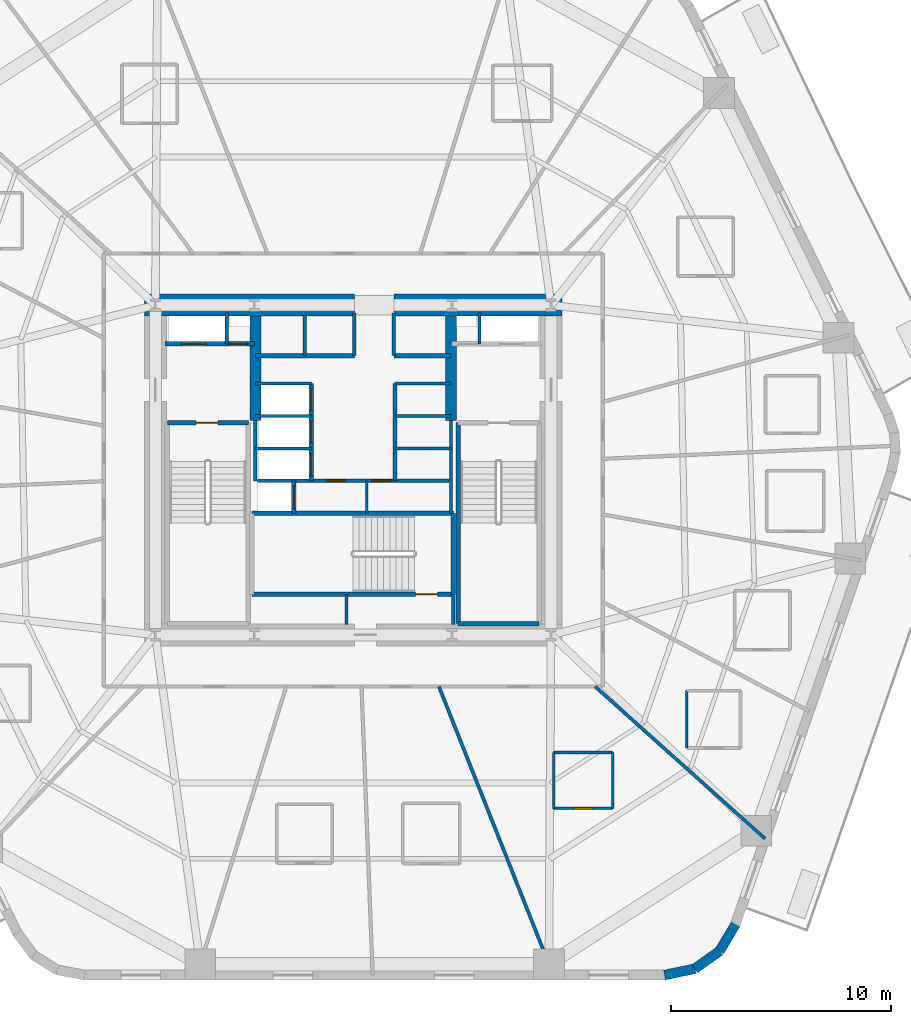
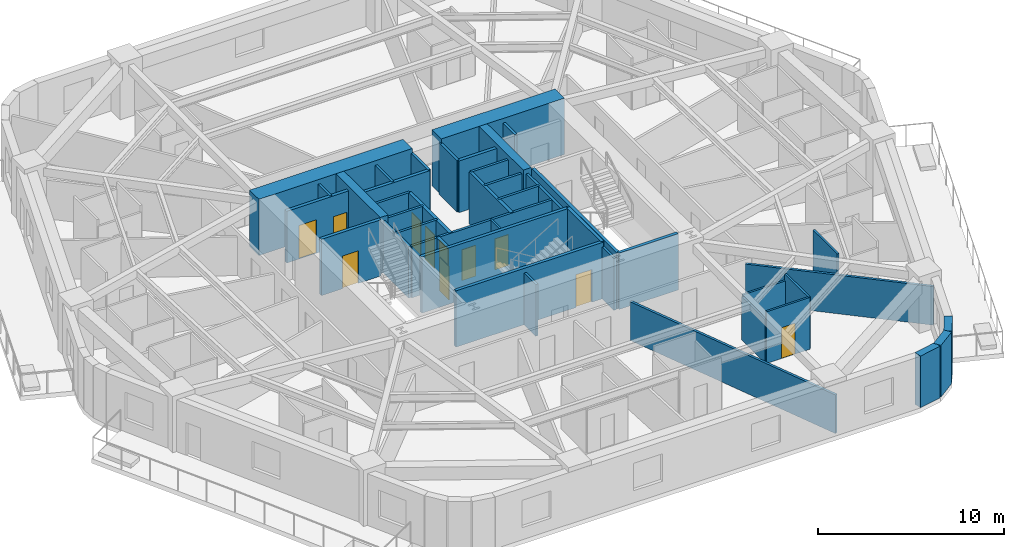
# One storey, part 4 of 10: 43 walls, 11 doors, 11 openings.
"""IFC4 building model written with IfcOpenShell, lengths in metres."""

from ifc_helpers import new_model, si_unit, direction, frame, frame_2d, origin, place, context, subcontext, project, spatial, rectangle, extrude, material, layer, layer_set, type_object, element, fill, save


model = new_model("IFC4")

# Units and contexts
model_context = context("Model", 3, precision=1e-05, world=origin(), true_north=direction((0.0, 1.0)))
body_context = subcontext(model_context, "Body", "Model", "MODEL_VIEW")
ifc_project = project(units=[si_unit("LENGTHUNIT", "METRE"), si_unit("AREAUNIT", "SQUARE_METRE"), si_unit("VOLUMEUNIT", "CUBIC_METRE"), si_unit("PLANEANGLEUNIT", "RADIAN"), si_unit("MASSUNIT", "GRAM", prefix="KILO")], contexts=[model_context])

# Site, building, storey
site_placement = place(None, origin())
site = spatial("IfcSite", under=ifc_project, at=site_placement, CompositionType="ELEMENT")
building_placement = place(site_placement, origin())
building = spatial("IfcBuilding", under=site, at=building_placement, Name="Kilnhurst Terrace Hotel", CompositionType="ELEMENT")
storey_placement = place(building_placement, frame((0.0, 0.0, 45.300048828125)))
storey = spatial("IfcBuildingStorey", under=building, at=storey_placement, Name="L09", CompositionType="ELEMENT", Elevation=45.300048828125)

# Walls
ifc_material_1 = material(Name="Precast concrete C40/50", Category="concrete")
ifc_layer_1 = layer(ifc_material_1, 0.449951171875, Name="Precast concrete C40/50")
ifc_layer_set_1 = layer_set([ifc_layer_1], Name="Precast concrete C40/50")
wall_type_1 = type_object("IfcWallType", Name="WL-BRK-450", PredefinedType="SOLIDWALL", material=ifc_layer_set_1)
wall_1_placement = place(storey_placement, frame((14.168212890625, -22.97509765625, 0.0), z_axis=(0.0, 0.0, 1.0), x_axis=(0.978770371074, 0.204959900243, 0.0)))
element("IfcWall", 1, at=wall_1_placement, inside=storey, type_object=wall_type_1, Name="L09 Rounded Corner Brick Wall C2.1", PredefinedType="SOLIDWALL", context=body_context, shape_type="SweptSolid", body=[
    extrude(rectangle(XDim=1.405517578125, YDim=0.449951171875, at=frame_2d((0.70263671875, 0.0))), origin(), (0.0, 0.0, 1.0), 3.39990234375),
])
wall_2_placement = place(storey_placement, frame((15.5439453125, -22.68701171875, 0.0), z_axis=(0.0, 0.0, 1.0), x_axis=(0.814210854316, 0.580569276412, 0.0)))
element("IfcWall", 2, at=wall_2_placement, inside=storey, type_object=wall_type_1, Name="L09 Rounded Corner Brick Wall C2.2", PredefinedType="SOLIDWALL", context=body_context, shape_type="SweptSolid", body=[
    extrude(rectangle(XDim=1.38134765625, YDim=0.449951171875, at=frame_2d((0.690673828125, 0.0))), origin(), (0.0, 0.0, 1.0), 3.39990234375),
])
wall_3_placement = place(storey_placement, frame((16.668701171875, -21.885009765625, 0.0), z_axis=(0.0, 0.0, 1.0), x_axis=(0.512936712947, 0.858426425799, 0.0)))
element("IfcWall", 3, at=wall_3_placement, inside=storey, type_object=wall_type_1, Name="L09 Rounded Corner Brick Wall C2.3", PredefinedType="SOLIDWALL", context=body_context, shape_type="SweptSolid", body=[
    extrude(rectangle(XDim=1.405517578125, YDim=0.449951171875, at=frame_2d((0.70263671875, 0.0))), origin(), (0.0, 0.0, 1.0), 3.39990234375),
])
ifc_material_2 = material(Name="Concrete C80/95", Category="concrete")
ifc_layer_2 = layer(ifc_material_2, 1.0, Name="Concrete C80/95")
ifc_layer_set_2 = layer_set([ifc_layer_2], Name="Concrete C80/95")
wall_type_2 = type_object("IfcWallType", Name="WL-CORE-1000", PredefinedType="SHEAR", material=ifc_layer_set_2)
wall_4_placement = place(storey_placement, frame((-9.5, 7.5, 0.0), z_axis=(0.0, 0.0, 1.0), x_axis=(1.0, 0.0, 0.0)))
element("IfcWall", 4, at=wall_4_placement, inside=storey, type_object=wall_type_2, Name="L09 Core North West Shear Wall", PredefinedType="SHEAR", context=body_context, shape_type="SweptSolid", body=[
    extrude(rectangle(XDim=9.550048828125, YDim=1.0, at=frame_2d((4.77490234375, 0.0))), origin(), (0.0, 0.0, 1.0), 3.699951171875),
])
wall_5_placement = place(storey_placement, frame((1.85009765625, 7.5, 0.0), z_axis=(0.0, 0.0, 1.0), x_axis=(1.0, 0.0, 0.0)))
element("IfcWall", 5, at=wall_5_placement, inside=storey, type_object=wall_type_2, Name="L09 Core North East Shear Wall", PredefinedType="SHEAR", context=body_context, shape_type="SweptSolid", body=[
    extrude(rectangle(XDim=7.64990234375, YDim=1.0, at=frame_2d((3.824951171875, 0.0))), origin(), (0.0, 0.0, 1.0), 3.699951171875),
])
ifc_material_3 = material(Name="Concrete C60/75", Category="concrete")
ifc_layer_3 = layer(ifc_material_3, 0.5, Name="Concrete C60/75")
ifc_layer_set_3 = layer_set([ifc_layer_3], Name="Concrete C60/75")
wall_type_3 = type_object("IfcWallType", Name="WL-CORE-WEB-500", PredefinedType="SHEAR", material=ifc_layer_set_3)
for number, where, z_axis, x_axis, name in (
    (6, (-4.449951171875, 2.25, 0.0), (0.0, 0.0, 1.0), (0.0, 1.0, 0.0), "L09 Core Internal West Shear Web"),
    (7, (4.449951171875, 2.25, 0.0), (0.0, 0.0, 1.0), (0.0, 1.0, 0.0), "L09 Core Internal East Shear Web"),
):
    element("IfcWall", number, at=place(storey_placement, frame(where, z_axis=z_axis, x_axis=x_axis)), inside=storey, type_object=wall_type_3, Name=name, PredefinedType="SHEAR", context=body_context, shape_type="SweptSolid", body=[
        extrude(rectangle(XDim=4.75, YDim=0.5, at=frame_2d((2.375, 0.0))), origin(), (0.0, 0.0, 1.0), 3.699951171875),
    ])
ifc_material_4 = material(Name="STC-58 Acoustic Twin-Frame Guestroom Demising Partition")
ifc_layer_4 = layer(ifc_material_4, 0.14990234375, Name="STC-58 Acoustic Twin-Frame Guestroom Demising Partition")
ifc_layer_set_4 = layer_set([ifc_layer_4], Name="STC-58 Acoustic Twin-Frame Guestroom Demising Partition")
wall_type_4 = type_object("IfcWallType", Name="WL-DEM-150", PredefinedType="PARTITIONING", material=ifc_layer_set_4)
wall_6_placement = place(storey_placement, frame((3.90185546875, -9.85009765625, 0.0), z_axis=(0.0, 0.0, 1.0), x_axis=(0.36828765711, -0.929711891728, 0.0)))
element("IfcWall", 8, at=wall_6_placement, inside=storey, type_object=wall_type_4, Name="L09 Interior Wall WL-L09-DEM-COL10-16-1", PredefinedType="PARTITIONING", context=body_context, shape_type="SweptSolid", body=[
    extrude(rectangle(XDim=14.1171875, YDim=0.14990234375, at=frame_2d((7.05859375, 0.0))), origin(), (0.0, 0.0, 1.0), 2.5400390625),
])
wall_7_placement = place(storey_placement, frame((11.006591796875, -9.85009765625, 0.0), z_axis=(0.0, 0.0, 1.0), x_axis=(0.745177305978, -0.666866390407, 0.0)))
element("IfcWall", 9, at=wall_7_placement, inside=storey, type_object=wall_type_4, Name="L09 Interior Wall WL-L09-DEM-COL11-17-1", PredefinedType="PARTITIONING", context=body_context, shape_type="SweptSolid", body=[
    extrude(rectangle(XDim=10.375244140625, YDim=0.14990234375, at=frame_2d((5.1875, 0.0))), origin(), (0.0, 0.0, 1.0), 2.5400390625),
])
ifc_material_5 = material(Name="120 mm Moisture-Resistant Tile-Backed Bathroom Partition")
ifc_layer_5 = layer(ifc_material_5, 0.1201171875, Name="120 mm Moisture-Resistant Tile-Backed Bathroom Partition")
ifc_layer_set_5 = layer_set([ifc_layer_5], Name="120 mm Moisture-Resistant Tile-Backed Bathroom Partition")
wall_type_5 = type_object("IfcWallType", Name="WL-PART-120", PredefinedType="PARTITIONING", material=ifc_layer_set_5)
wall_8_placement = place(storey_placement, frame((0.6201171875, -1.971923828125, 0.0), z_axis=(0.0, 0.0, 1.0), x_axis=(0.0, 1.0, 0.0)))
element("IfcWall", 10, at=wall_8_placement, inside=storey, type_object=wall_type_5, Name="L09 Interior Wall WL-L09-BOH-C1", PredefinedType="PARTITIONING", context=body_context, shape_type="SweptSolid", body=[
    extrude(rectangle(XDim=1.471923828125, YDim=0.1201171875, at=frame_2d((0.73583984375, 0.0))), origin(), (0.0, 0.0, 1.0), 3.39990234375),
])

# Wall, opening, door
wall_9_placement = place(storey_placement, frame((9.1220703125, -15.387939453125, 0.0), z_axis=(0.0, 0.0, 1.0), x_axis=(1.0, 0.0, 0.0)))
wall_9 = element("IfcWall", 11, at=wall_9_placement, inside=storey, type_object=wall_type_5, Name="L09 Interior Wall WL-L09-BTH-16-1", PredefinedType="PARTITIONING", context=body_context, shape_type="SweptSolid", body=[
    extrude(rectangle(XDim=2.679931640625, YDim=0.1201171875, at=frame_2d((1.33984375, 0.0))), origin(), (0.0, 0.0, 1.0), 3.39990234375),
])
opening_1_placement = place(wall_9_placement, frame((0.9150390625, 0.0, 0.0)))
opening_1 = element("IfcOpeningElement", 12, at=opening_1_placement, cuts=wall_9, Name="Opening D-08A", PredefinedType="OPENING", context=body_context, shape_type="SweptSolid", body=[
    extrude(rectangle(XDim=0.85009765625, YDim=2.030029296875, at=frame_2d((0.425048828125, 1.01513671875))), frame((0.0, 0.070068359375, 0.0), z_axis=(0.0, -1.0, 0.0), x_axis=(1.0, 0.0, 0.0)), (0.0, 0.0, 1.0), 0.14013671875),
])
ifc_material_6 = material(Name="Moisture-Resistant Lacquered En-suite Bathroom Door")
door_type_1 = type_object("IfcDoorType", Name="DR-INT-850", OperationType="NOTDEFINED", PredefinedType="DOOR", material=ifc_material_6)
door_1_placement = place(opening_1_placement, origin())
door_1 = element("IfcDoor", 13, at=door_1_placement, inside=storey, type_object=door_type_1, Name="L09 En-suite Bathroom Door 16", OperationType="SINGLE_SWING_LEFT", OverallHeight=2.030029296875, OverallWidth=0.85009765625, PredefinedType="DOOR", context=body_context, shape_type="SweptSolid", body=[
    extrude(rectangle(XDim=0.85009765625, YDim=2.030029296875, at=frame_2d((0.425048828125, 1.01513671875))), frame((0.0, 0.02490234375, 0.0), z_axis=(0.0, -1.0, 0.0), x_axis=(1.0, 0.0, 0.0)), (0.0, 0.0, 1.0), 0.050048828125),
])
fill(opening_1, door_1)

# Walls
wall_10_placement = place(storey_placement, frame((11.802001953125, -15.387939453125, 0.0), z_axis=(0.0, 0.0, 1.0), x_axis=(0.0, 1.0, 0.0)))
element("IfcWall", 14, at=wall_10_placement, inside=storey, type_object=wall_type_5, Name="L09 Interior Wall WL-L09-BTH-16-2", PredefinedType="PARTITIONING", context=body_context, shape_type="SweptSolid", body=[
    extrude(rectangle(XDim=2.5400390625, YDim=0.1201171875, at=frame_2d((1.27001953125, 0.0))), origin(), (0.0, 0.0, 1.0), 3.39990234375),
])
wall_11_placement = place(storey_placement, frame((11.802001953125, -12.847900390625, 0.0), z_axis=(0.0, 0.0, 1.0), x_axis=(-1.0, 0.0, 0.0)))
element("IfcWall", 15, at=wall_11_placement, inside=storey, type_object=wall_type_5, Name="L09 Interior Wall WL-L09-BTH-16-3", PredefinedType="PARTITIONING", context=body_context, shape_type="SweptSolid", body=[
    extrude(rectangle(XDim=2.679931640625, YDim=0.1201171875, at=frame_2d((1.33984375, 0.0))), origin(), (0.0, 0.0, 1.0), 2.972412109375),
])
wall_12_placement = place(storey_placement, frame((9.1220703125, -12.847900390625, 0.0), z_axis=(0.0, 0.0, 1.0), x_axis=(0.0, -1.0, 0.0)))
element("IfcWall", 16, at=wall_12_placement, inside=storey, type_object=wall_type_5, Name="L09 Interior Wall WL-L09-BTH-16-4", PredefinedType="PARTITIONING", context=body_context, shape_type="SweptSolid", body=[
    extrude(rectangle(XDim=2.5400390625, YDim=0.1201171875, at=frame_2d((1.27001953125, 0.0))), origin(), (0.0, 0.0, 1.0), 2.83984375),
])
wall_13_placement = place(storey_placement, frame((15.177978515625, -10.037109375, 0.0), z_axis=(0.0, 0.0, 1.0), x_axis=(0.0, -1.0, 0.0)))
element("IfcWall", 17, at=wall_13_placement, inside=storey, type_object=wall_type_5, Name="L09 Interior Wall WL-L09-BTH-17-4", PredefinedType="PARTITIONING", context=body_context, shape_type="SweptSolid", body=[
    extrude(rectangle(XDim=2.60986328125, YDim=0.1201171875, at=frame_2d((1.304931640625, 0.0))), origin(), (0.0, 0.0, 1.0), 3.39990234375),
])
ifc_material_7 = material(Name="Fire-Rated Gypsum Shaftliner Assembly")
ifc_layer_6 = layer(ifc_material_7, 0.14990234375, Name="Fire-Rated Gypsum Shaftliner Assembly")
ifc_layer_set_6 = layer_set([ifc_layer_6], Name="Fire-Rated Gypsum Shaftliner Assembly")
wall_type_6 = type_object("IfcWallType", Name="WL-SHAFT-150", PredefinedType="PARTITIONING", material=ifc_layer_set_6)
for number, where, z_axis, x_axis, name in (
    (18, (-0.300048828125, -7.02001953125, 0.0), (0.0, 0.0, 1.0), (0.0, 1.0, 0.0), "L09 Interior Wall WL-L09-ST3-PSGW"),
    (19, (4.55810546875, -7.02001953125, 0.0), (0.0, 0.0, 1.0), (0.0, 1.0, 0.0), "L09 Interior Wall WL-L09-ST3-PSGE"),
):
    element("IfcWall", number, at=place(storey_placement, frame(where, z_axis=z_axis, x_axis=x_axis)), inside=storey, type_object=wall_type_6, Name=name, PredefinedType="PARTITIONING", context=body_context, shape_type="SweptSolid", body=[
        extrude(rectangle(XDim=1.362060546875, YDim=0.14990234375, at=frame_2d((0.68115234375, 0.0))), origin(), (0.0, 0.0, 1.0), 3.39990234375),
    ])
for number, where, z_axis, x_axis, name in (
    (20, (-5.75, 5.739990234375, 0.0), (0.0, 0.0, 1.0), (0.0, 1.0, 0.0), "L09 Interior Wall WL-L09-RIS1-DIV"),
    (21, (5.75, 5.739990234375, 0.0), (0.0, 0.0, 1.0), (0.0, 1.0, 0.0), "L09 Interior Wall WL-L09-RIS2-DIV"),
):
    element("IfcWall", number, at=place(storey_placement, frame(where, z_axis=z_axis, x_axis=x_axis)), inside=storey, type_object=wall_type_6, Name=name, PredefinedType="PARTITIONING", context=body_context, shape_type="SweptSolid", body=[
        extrude(rectangle(XDim=1.409912109375, YDim=0.14990234375, at=frame_2d((0.705078125, 0.0))), origin(), (0.0, 0.0, 1.0), 3.39990234375),
    ])
wall_14_placement = place(storey_placement, frame((-2.199951171875, 5.199951171875, 0.0), z_axis=(0.0, 0.0, 1.0), x_axis=(0.0, 1.0, 0.0)))
element("IfcWall", 22, at=wall_14_placement, inside=storey, type_object=wall_type_6, Name="L09 Interior Wall WL-L09-HR-DIV1", PredefinedType="PARTITIONING", context=body_context, shape_type="SweptSolid", body=[
    extrude(rectangle(XDim=1.85009765625, YDim=0.14990234375, at=frame_2d((0.925048828125, 0.0))), origin(), (0.0, 0.0, 1.0), 3.39990234375),
])
for number, where, z_axis, x_axis, name in (
    (23, (0.050048828125, 5.199951171875, 0.0), (0.0, 0.0, 1.0), (0.0, 1.0, 0.0), "L09 Interior Wall WL-L09-HR-PORTAL-W"),
    (24, (1.85009765625, 5.199951171875, 0.0), (0.0, 0.0, 1.0), (0.0, 1.0, 0.0), "L09 Interior Wall WL-L09-HR-PORTAL-E"),
):
    element("IfcWall", number, at=place(storey_placement, frame(where, z_axis=z_axis, x_axis=x_axis)), inside=storey, type_object=wall_type_6, Name=name, PredefinedType="PARTITIONING", context=body_context, shape_type="SweptSolid", body=[
        extrude(rectangle(XDim=1.949951171875, YDim=0.14990234375, at=frame_2d((0.97509765625, 0.0))), origin(), (0.0, 0.0, 1.0), 3.39990234375),
    ])
wall_15_placement = place(storey_placement, frame((-4.449951171875, -0.5, 0.0), z_axis=(0.0, 0.0, 1.0), x_axis=(0.0, 1.0, 0.0)))
element("IfcWall", 25, at=wall_15_placement, inside=storey, type_object=wall_type_6, Name="L09 Interior Wall WL-L09-XLOB-W", PredefinedType="PARTITIONING", context=body_context, shape_type="SweptSolid", body=[
    extrude(rectangle(XDim=2.75, YDim=0.14990234375, at=frame_2d((1.375, 0.0))), origin(), (0.0, 0.0, 1.0), 3.39990234375),
])
wall_16_placement = place(storey_placement, frame((4.449951171875, -1.971923828125, 0.0), z_axis=(0.0, 0.0, 1.0), x_axis=(0.0, 1.0, 0.0)))
element("IfcWall", 26, at=wall_16_placement, inside=storey, type_object=wall_type_6, Name="L09 Interior Wall WL-L09-XLOB-E", PredefinedType="PARTITIONING", context=body_context, shape_type="SweptSolid", body=[
    extrude(rectangle(XDim=4.221923828125, YDim=0.14990234375, at=frame_2d((2.11083984375, 0.0))), origin(), (0.0, 0.0, 1.0), 3.39990234375),
])
for number, where, z_axis, x_axis, name in (
    (27, (-4.449951171875, 3.93994140625, 0.0), (0.0, 0.0, 1.0), (1.0, 0.0, 0.0), "L09 Interior Wall WL-L09-LR-NORTH"),
    (28, (-4.449951171875, 0.97998046875, 0.0), (0.0, 0.0, 1.0), (1.0, 0.0, 0.0), "L09 Interior Wall WL-L09-LR-D1"),
    (29, (-4.449951171875, 2.4599609375, 0.0), (0.0, 0.0, 1.0), (1.0, 0.0, 0.0), "L09 Interior Wall WL-L09-LR-D2"),
    (30, (1.89990234375, 3.93994140625, 0.0), (0.0, 0.0, 1.0), (1.0, 0.0, 0.0), "L09 Interior Wall WL-L09-MR-NORTH"),
    (31, (1.89990234375, 0.97998046875, 0.0), (0.0, 0.0, 1.0), (1.0, 0.0, 0.0), "L09 Interior Wall WL-L09-MR-D1"),
    (32, (1.89990234375, 2.4599609375, 0.0), (0.0, 0.0, 1.0), (1.0, 0.0, 0.0), "L09 Interior Wall WL-L09-MR-D2"),
):
    element("IfcWall", number, at=place(storey_placement, frame(where, z_axis=z_axis, x_axis=x_axis)), inside=storey, type_object=wall_type_6, Name=name, PredefinedType="PARTITIONING", context=body_context, shape_type="SweptSolid", body=[
        extrude(rectangle(XDim=2.550048828125, YDim=0.14990234375, at=frame_2d((1.27490234375, 0.0))), origin(), (0.0, 0.0, 1.0), 3.39990234375),
    ])

# Wall, openings, doors
wall_17_placement = place(storey_placement, frame((-4.360107421875, -0.489990234375, 0.0), z_axis=(0.0, 0.0, 1.0), x_axis=(1.0, 0.0, 0.0)))
wall_17 = element("IfcWall", 33, at=wall_17_placement, inside=storey, type_object=wall_type_6, Name="L09 Interior Wall WL-L09-BOH-N", PredefinedType="PARTITIONING", context=body_context, shape_type="SweptSolid", body=[
    extrude(rectangle(XDim=8.72021484375, YDim=0.14990234375, at=frame_2d((4.360107421875, 0.0))), origin(), (0.0, 0.0, 1.0), 3.39990234375),
])
opening_2_placement = place(wall_17_placement, frame((3.159912109375, 0.0, 0.0)))
opening_2 = element("IfcOpeningElement", 34, at=opening_2_placement, cuts=wall_17, Name="Opening D-60D", PredefinedType="OPENING", context=body_context, shape_type="SweptSolid", body=[
    extrude(rectangle(XDim=0.85009765625, YDim=2.030029296875, at=frame_2d((0.425048828125, 1.01513671875))), frame((0.0, 0.0849609375, 0.0), z_axis=(0.0, -1.0, 0.0), x_axis=(1.0, 0.0, 0.0)), (0.0, 0.0, 1.0), 0.169921875),
])
opening_3_placement = place(wall_17_placement, frame((5.2099609375, 0.0, 0.0)))
opening_3 = element("IfcOpeningElement", 35, at=opening_3_placement, cuts=wall_17, Name="Opening D-60D", PredefinedType="OPENING", context=body_context, shape_type="SweptSolid", body=[
    extrude(rectangle(XDim=0.85009765625, YDim=2.030029296875, at=frame_2d((0.425048828125, 1.01513671875))), frame((0.0, 0.0849609375, 0.0), z_axis=(0.0, -1.0, 0.0), x_axis=(1.0, 0.0, 0.0)), (0.0, 0.0, 1.0), 0.169921875),
])
ifc_material_8 = material(Name="Painted Hollow Metal Steel ASTM A36 Riser Door", Category="steel")
door_type_2 = type_object("IfcDoorType", Name="DR-FD60-850", OperationType="NOTDEFINED", PredefinedType="DOOR", material=ifc_material_8)
door_2_placement = place(opening_2_placement, origin())
door_2 = element("IfcDoor", 36, at=door_2_placement, inside=storey, type_object=door_type_2, Name="L09 Housekeeping Laundry Door", OperationType="SINGLE_SWING_LEFT", OverallHeight=2.030029296875, OverallWidth=0.85009765625, PredefinedType="DOOR", context=body_context, shape_type="SweptSolid", body=[
    extrude(rectangle(XDim=0.85009765625, YDim=2.030029296875, at=frame_2d((0.425048828125, 1.01513671875))), frame((0.0, 0.02490234375, 0.0), z_axis=(0.0, -1.0, 0.0), x_axis=(1.0, 0.0, 0.0)), (0.0, 0.0, 1.0), 0.050048828125),
])
fill(opening_2, door_2)
door_3_placement = place(opening_3_placement, origin())
door_3 = element("IfcDoor", 37, at=door_3_placement, inside=storey, type_object=door_type_2, Name="L09 Room Service Kitchen Door", OperationType="SINGLE_SWING_RIGHT", OverallHeight=2.030029296875, OverallWidth=0.85009765625, PredefinedType="DOOR", context=body_context, shape_type="SweptSolid", body=[
    extrude(rectangle(XDim=0.85009765625, YDim=2.030029296875, at=frame_2d((0.425048828125, 1.01513671875))), frame((0.0, 0.02490234375, 0.0), z_axis=(0.0, -1.0, 0.0), x_axis=(1.0, 0.0, 0.0)), (0.0, 0.0, 1.0), 0.050048828125),
])
fill(opening_3, door_3)

ifc_material_9 = material(Name="Autoclaved Aerated Concrete C30/37 and Gypsum Shaft Assembly", Category="concrete")
ifc_layer_7 = layer(ifc_material_9, 0.199951171875, Name="Autoclaved Aerated Concrete C30/37 and Gypsum Shaft Assembly")
ifc_layer_set_7 = layer_set([ifc_layer_7], Name="Autoclaved Aerated Concrete C30/37 and Gypsum Shaft Assembly")
wall_type_7 = type_object("IfcWallType", Name="WL-SHAFT-200", PredefinedType="PARTITIONING", material=ifc_layer_set_7)
wall_18_placement = place(storey_placement, frame((-8.550048828125, 5.739990234375, 0.0), z_axis=(0.0, 0.0, 1.0), x_axis=(1.0, 0.0, 0.0)))
wall_18 = element("IfcWall", 38, at=wall_18_placement, inside=storey, type_object=wall_type_7, Name="L09 Interior Wall WL-L09-FSAE1-S", PredefinedType="PARTITIONING", context=body_context, shape_type="SweptSolid", body=[
    extrude(rectangle(XDim=4.050048828125, YDim=0.199951171875, at=frame_2d((2.02490234375, 0.0))), origin(), (0.0, 0.0, 1.0), 3.39990234375),
])
opening_4_placement = place(wall_18_placement, frame((0.75, 0.0, 0.0)))
opening_4 = element("IfcOpeningElement", 39, at=opening_4_placement, cuts=wall_18, Name="Opening LD-F1", PredefinedType="OPENING", context=body_context, shape_type="SweptSolid", body=[
    extrude(rectangle(XDim=1.10009765625, YDim=2.199951171875, at=frame_2d((0.550048828125, 1.10009765625))), frame((0.0, 0.10986328125, 0.0), z_axis=(0.0, -1.0, 0.0), x_axis=(1.0, 0.0, 0.0)), (0.0, 0.0, 1.0), 0.219970703125),
])
opening_5_placement = place(wall_18_placement, frame((2.89990234375, 0.0, 0.0)))
opening_5 = element("IfcOpeningElement", 40, at=opening_5_placement, cuts=wall_18, Name="Opening D-60D", PredefinedType="OPENING", context=body_context, shape_type="SweptSolid", body=[
    extrude(rectangle(XDim=0.85009765625, YDim=2.030029296875, at=frame_2d((0.425048828125, 1.01513671875))), frame((0.0, 0.10986328125, 0.0), z_axis=(0.0, -1.0, 0.0), x_axis=(1.0, 0.0, 0.0)), (0.0, 0.0, 1.0), 0.219970703125),
])
door_4_placement = place(opening_5_placement, origin())
door_4 = element("IfcDoor", 41, at=door_4_placement, inside=storey, type_object=door_type_2, Name="L09 Electrical Riser Door", OperationType="SINGLE_SWING_LEFT", OverallHeight=2.030029296875, OverallWidth=0.85009765625, PredefinedType="DOOR", context=body_context, shape_type="SweptSolid", body=[
    extrude(rectangle(XDim=0.85009765625, YDim=2.030029296875, at=frame_2d((0.425048828125, 1.01513671875))), frame((0.0, 0.02490234375, 0.0), z_axis=(0.0, -1.0, 0.0), x_axis=(1.0, 0.0, 0.0)), (0.0, 0.0, 1.0), 0.050048828125),
])
fill(opening_5, door_4)
ifc_material_10 = material(Name="Bronze-Anodized Stainless Steel AISI 316L Sliding Door", Category="steel")
door_type_3 = type_object("IfcDoorType", Name="DR-LIFT-1100", OperationType="NOTDEFINED", PredefinedType="DOOR", material=ifc_material_10)
door_5_placement = place(opening_4_placement, origin())
door_5 = element("IfcDoor", 42, at=door_5_placement, inside=storey, type_object=door_type_3, Name="L09 FSAE-1 Landing Door", OperationType="SLIDING_TO_LEFT", OverallHeight=2.199951171875, OverallWidth=1.10009765625, PredefinedType="DOOR", context=body_context, shape_type="SweptSolid", body=[
    extrude(rectangle(XDim=1.10009765625, YDim=2.199951171875, at=frame_2d((0.550048828125, 1.10009765625))), frame((0.0, 0.02490234375, 0.0), z_axis=(0.0, -1.0, 0.0), x_axis=(1.0, 0.0, 0.0)), (0.0, 0.0, 1.0), 0.050048828125),
])
fill(opening_4, door_5)

# Wall, opening, door
wall_19_placement = place(storey_placement, frame((-2.699951171875, -1.971923828125, 0.0), z_axis=(0.0, 0.0, 1.0), x_axis=(0.0, 1.0, 0.0)))
wall_19 = element("IfcWall", 43, at=wall_19_placement, inside=storey, type_object=wall_type_7, Name="L09 Interior Wall WL-L09-SRV1-E", PredefinedType="PARTITIONING", context=body_context, shape_type="SweptSolid", body=[
    extrude(rectangle(XDim=1.471923828125, YDim=0.199951171875, at=frame_2d((0.73583984375, 0.0))), origin(), (0.0, 0.0, 1.0), 3.39990234375),
])
opening_6_placement = place(wall_19_placement, frame((0.239990234375, 0.0, 0.0)))
opening_6 = element("IfcOpeningElement", 44, at=opening_6_placement, cuts=wall_19, Name="Opening LD-SV", PredefinedType="OPENING", context=body_context, shape_type="SweptSolid", body=[
    extrude(rectangle(XDim=1.0, YDim=2.199951171875, at=frame_2d((0.5, 1.10009765625))), frame((0.0, 0.10986328125, 0.0), z_axis=(0.0, -1.0, 0.0), x_axis=(1.0, 0.0, 0.0)), (0.0, 0.0, 1.0), 0.219970703125),
])
door_type_4 = type_object("IfcDoorType", Name="DR-LIFT-1000", OperationType="NOTDEFINED", PredefinedType="DOOR", material=ifc_material_10)
door_6_placement = place(opening_6_placement, origin())
door_6 = element("IfcDoor", 45, at=door_6_placement, inside=storey, type_object=door_type_4, Name="L09 Service Lift SRV-1 Landing Door", OperationType="SLIDING_TO_LEFT", OverallHeight=2.199951171875, OverallWidth=1.0, PredefinedType="DOOR", context=body_context, shape_type="SweptSolid", body=[
    extrude(rectangle(XDim=1.0, YDim=2.199951171875, at=frame_2d((0.5, 1.10009765625))), frame((0.0, 0.02490234375, 0.0), z_axis=(0.0, -1.0, 0.0), x_axis=(1.0, 0.0, 0.0)), (0.0, 0.0, 1.0), 0.050048828125),
])
fill(opening_6, door_6)

# Walls
wall_20_placement = place(storey_placement, frame((-4.449951171875, 5.199951171875, 0.0), z_axis=(0.0, 0.0, 1.0), x_axis=(1.0, 0.0, 0.0)))
element("IfcWall", 46, at=wall_20_placement, inside=storey, type_object=wall_type_7, Name="L09 Interior Wall WL-L09-HR-SW", PredefinedType="PARTITIONING", context=body_context, shape_type="SweptSolid", body=[
    extrude(rectangle(XDim=4.5, YDim=0.199951171875, at=frame_2d((2.25, 0.0))), origin(), (0.0, 0.0, 1.0), 3.39990234375),
])
wall_21_placement = place(storey_placement, frame((1.85009765625, 5.199951171875, 0.0), z_axis=(0.0, 0.0, 1.0), x_axis=(1.0, 0.0, 0.0)))
element("IfcWall", 47, at=wall_21_placement, inside=storey, type_object=wall_type_7, Name="L09 Interior Wall WL-L09-HR-SE", PredefinedType="PARTITIONING", context=body_context, shape_type="SweptSolid", body=[
    extrude(rectangle(XDim=2.599853515625, YDim=0.199951171875, at=frame_2d((1.2998046875, 0.0))), origin(), (0.0, 0.0, 1.0), 3.39990234375),
])

# Wall, openings, doors
wall_22_placement = place(storey_placement, frame((-1.89990234375, -0.5, 0.0), z_axis=(0.0, 0.0, 1.0), x_axis=(0.0, 1.0, 0.0)))
wall_22 = element("IfcWall", 48, at=wall_22_placement, inside=storey, type_object=wall_type_7, Name="L09 Interior Wall WL-L09-LR-FRONT", PredefinedType="PARTITIONING", context=body_context, shape_type="SweptSolid", body=[
    extrude(rectangle(XDim=4.43994140625, YDim=0.199951171875, at=frame_2d((2.219970703125, 0.0))), origin(), (0.0, 0.0, 1.0), 3.39990234375),
])
opening_7_placement = place(wall_22_placement, frame((0.239990234375, 0.0, 0.0)))
opening_7 = element("IfcOpeningElement", 49, at=opening_7_placement, cuts=wall_22, Name="Opening LD-LR", PredefinedType="OPENING", context=body_context, shape_type="SweptSolid", body=[
    extrude(rectangle(XDim=1.0, YDim=2.199951171875, at=frame_2d((0.5, 1.10009765625))), frame((0.0, 0.10986328125, 0.0), z_axis=(0.0, -1.0, 0.0), x_axis=(1.0, 0.0, 0.0)), (0.0, 0.0, 1.0), 0.219970703125),
])
opening_8_placement = place(wall_22_placement, frame((1.719970703125, 0.0, 0.0)))
opening_8 = element("IfcOpeningElement", 50, at=opening_8_placement, cuts=wall_22, Name="Opening LD-LR", PredefinedType="OPENING", context=body_context, shape_type="SweptSolid", body=[
    extrude(rectangle(XDim=1.0, YDim=2.199951171875, at=frame_2d((0.5, 1.10009765625))), frame((0.0, 0.10986328125, 0.0), z_axis=(0.0, -1.0, 0.0), x_axis=(1.0, 0.0, 0.0)), (0.0, 0.0, 1.0), 0.219970703125),
])
opening_9_placement = place(wall_22_placement, frame((3.199951171875, 0.0, 0.0)))
opening_9 = element("IfcOpeningElement", 51, at=opening_9_placement, cuts=wall_22, Name="Opening LD-LR", PredefinedType="OPENING", context=body_context, shape_type="SweptSolid", body=[
    extrude(rectangle(XDim=1.0, YDim=2.199951171875, at=frame_2d((0.5, 1.10009765625))), frame((0.0, 0.10986328125, 0.0), z_axis=(0.0, -1.0, 0.0), x_axis=(1.0, 0.0, 0.0)), (0.0, 0.0, 1.0), 0.219970703125),
])
door_7_placement = place(opening_7_placement, origin())
door_7 = element("IfcDoor", 52, at=door_7_placement, inside=storey, type_object=door_type_4, Name="L09 Low Rise Lift LR-1 Landing Door", OperationType="SLIDING_TO_LEFT", OverallHeight=2.199951171875, OverallWidth=1.0, PredefinedType="DOOR", context=body_context, shape_type="SweptSolid", body=[
    extrude(rectangle(XDim=1.0, YDim=2.199951171875, at=frame_2d((0.5, 1.10009765625))), frame((0.0, 0.02490234375, 0.0), z_axis=(0.0, -1.0, 0.0), x_axis=(1.0, 0.0, 0.0)), (0.0, 0.0, 1.0), 0.050048828125),
])
fill(opening_7, door_7)
door_8_placement = place(opening_8_placement, origin())
door_8 = element("IfcDoor", 53, at=door_8_placement, inside=storey, type_object=door_type_4, Name="L09 Low Rise Lift LR-2 Landing Door", OperationType="SLIDING_TO_LEFT", OverallHeight=2.199951171875, OverallWidth=1.0, PredefinedType="DOOR", context=body_context, shape_type="SweptSolid", body=[
    extrude(rectangle(XDim=1.0, YDim=2.199951171875, at=frame_2d((0.5, 1.10009765625))), frame((0.0, 0.02490234375, 0.0), z_axis=(0.0, -1.0, 0.0), x_axis=(1.0, 0.0, 0.0)), (0.0, 0.0, 1.0), 0.050048828125),
])
fill(opening_8, door_8)
door_9_placement = place(opening_9_placement, origin())
door_9 = element("IfcDoor", 54, at=door_9_placement, inside=storey, type_object=door_type_4, Name="L09 Low Rise Lift LR-3 Landing Door", OperationType="SLIDING_TO_LEFT", OverallHeight=2.199951171875, OverallWidth=1.0, PredefinedType="DOOR", context=body_context, shape_type="SweptSolid", body=[
    extrude(rectangle(XDim=1.0, YDim=2.199951171875, at=frame_2d((0.5, 1.10009765625))), frame((0.0, 0.02490234375, 0.0), z_axis=(0.0, -1.0, 0.0), x_axis=(1.0, 0.0, 0.0)), (0.0, 0.0, 1.0), 0.050048828125),
])
fill(opening_9, door_9)

# Wall
wall_23_placement = place(storey_placement, frame((1.89990234375, -0.5, 0.0), z_axis=(0.0, 0.0, 1.0), x_axis=(0.0, 1.0, 0.0)))
element("IfcWall", 55, at=wall_23_placement, inside=storey, type_object=wall_type_7, Name="L09 Interior Wall WL-L09-MR-FRONT", PredefinedType="PARTITIONING", context=body_context, shape_type="SweptSolid", body=[
    extrude(rectangle(XDim=4.43994140625, YDim=0.199951171875, at=frame_2d((2.219970703125, 0.0))), origin(), (0.0, 0.0, 1.0), 3.39990234375),
])

# Wall, opening, door
ifc_material_11 = material(Name="Concrete C50/60", Category="concrete")
ifc_layer_8 = layer(ifc_material_11, 0.199951171875, Name="Concrete C50/60")
ifc_layer_set_8 = layer_set([ifc_layer_8], Name="Concrete C50/60")
wall_type_8 = type_object("IfcWallType", Name="WL-STAIR-RC-200", PredefinedType="SHEAR", material=ifc_layer_set_8)
wall_24_placement = place(storey_placement, frame((-8.4580078125, 2.157958984375, 0.0), z_axis=(0.0, 0.0, 1.0), x_axis=(1.0, 0.0, 0.0)))
wall_24 = element("IfcWall", 56, at=wall_24_placement, inside=storey, type_object=wall_type_8, Name="L09 Structural Stair Shaft Wall WL-L09-ST1-N", PredefinedType="SHEAR", context=body_context, shape_type="SweptSolid", body=[
    extrude(rectangle(XDim=3.68603515625, YDim=0.199951171875, at=frame_2d((1.843017578125, 0.0))), origin(), (0.0, 0.0, 1.0), 3.699951171875),
])
opening_10_placement = place(wall_24_placement, frame((1.300048828125, 0.0, 0.0)))
opening_10 = element("IfcOpeningElement", 57, at=opening_10_placement, cuts=wall_24, Name="Opening D-90B", PredefinedType="OPENING", context=body_context, shape_type="SweptSolid", body=[
    extrude(rectangle(XDim=1.0, YDim=2.14990234375, at=frame_2d((0.5, 1.074951171875))), frame((0.0, 0.10986328125, 0.0), z_axis=(0.0, -1.0, 0.0), x_axis=(1.0, 0.0, 0.0)), (0.0, 0.0, 1.0), 0.219970703125),
])
ifc_material_12 = material(Name="Painted Hollow Metal Steel ASTM A36 Fire Door", Category="steel")
door_type_5 = type_object("IfcDoorType", Name="DR-FD90-1000", OperationType="NOTDEFINED", PredefinedType="DOOR", material=ifc_material_12)
door_10_placement = place(opening_10_placement, origin())
door_10 = element("IfcDoor", 58, at=door_10_placement, inside=storey, type_object=door_type_5, Name="L09 Stair ST-1 Door", OperationType="SINGLE_SWING_LEFT", OverallHeight=2.14990234375, OverallWidth=1.0, PredefinedType="DOOR", context=body_context, shape_type="SweptSolid", body=[
    extrude(rectangle(XDim=1.0, YDim=2.14990234375, at=frame_2d((0.5, 1.074951171875))), frame((0.0, 0.02490234375, 0.0), z_axis=(0.0, -1.0, 0.0), x_axis=(1.0, 0.0, 0.0)), (0.0, 0.0, 1.0), 0.050048828125),
])
fill(opening_10, door_10)

# Walls
wall_25_placement = place(storey_placement, frame((4.77197265625, -6.985107421875, 0.0), z_axis=(0.0, 0.0, 1.0), x_axis=(0.0, 1.0, 0.0)))
element("IfcWall", 59, at=wall_25_placement, inside=storey, type_object=wall_type_8, Name="L09 Structural Stair Shaft Wall WL-L09-ST2-W", PredefinedType="SHEAR", context=body_context, shape_type="SweptSolid", body=[
    extrude(rectangle(XDim=9.14306640625, YDim=0.199951171875, at=frame_2d((4.571533203125, 0.0))), origin(), (0.0, 0.0, 1.0), 3.699951171875),
])
wall_26_placement = place(storey_placement, frame((4.77197265625, -6.985107421875, 0.0), z_axis=(0.0, 0.0, 1.0), x_axis=(1.0, 0.0, 0.0)))
element("IfcWall", 60, at=wall_26_placement, inside=storey, type_object=wall_type_8, Name="L09 Structural Stair Shaft Wall WL-L09-ST2-S", PredefinedType="SHEAR", context=body_context, shape_type="SweptSolid", body=[
    extrude(rectangle(XDim=3.68603515625, YDim=0.199951171875, at=frame_2d((1.843017578125, 0.0))), origin(), (0.0, 0.0, 1.0), 3.699951171875),
])

# Wall, opening, door
wall_27_placement = place(storey_placement, frame((-4.60791015625, -5.657958984375, 0.0), z_axis=(0.0, 0.0, 1.0), x_axis=(1.0, 0.0, 0.0)))
wall_27 = element("IfcWall", 61, at=wall_27_placement, inside=storey, type_object=wall_type_8, Name="L09 Structural Stair Shaft Wall WL-L09-ST3-S", PredefinedType="SHEAR", context=body_context, shape_type="SweptSolid", body=[
    extrude(rectangle(XDim=9.166015625, YDim=0.199951171875, at=frame_2d((4.5830078125, 0.0))), origin(), (0.0, 0.0, 1.0), 3.699951171875),
])
opening_11_placement = place(wall_27_placement, frame((7.449951171875, 0.0, 0.0)))
opening_11 = element("IfcOpeningElement", 62, at=opening_11_placement, cuts=wall_27, Name="Opening D-90B", PredefinedType="OPENING", context=body_context, shape_type="SweptSolid", body=[
    extrude(rectangle(XDim=1.0, YDim=2.14990234375, at=frame_2d((0.5, 1.074951171875))), frame((0.0, 0.10986328125, 0.0), z_axis=(0.0, -1.0, 0.0), x_axis=(1.0, 0.0, 0.0)), (0.0, 0.0, 1.0), 0.219970703125),
])
door_11_placement = place(opening_11_placement, origin())
door_11 = element("IfcDoor", 63, at=door_11_placement, inside=storey, type_object=door_type_5, Name="L09 Stair ST-3 Shaft Door", OperationType="SINGLE_SWING_LEFT", OverallHeight=2.14990234375, OverallWidth=1.0, PredefinedType="DOOR", context=body_context, shape_type="SweptSolid", body=[
    extrude(rectangle(XDim=1.0, YDim=2.14990234375, at=frame_2d((0.5, 1.074951171875))), frame((0.0, 0.02490234375, 0.0), z_axis=(0.0, -1.0, 0.0), x_axis=(1.0, 0.0, 0.0)), (0.0, 0.0, 1.0), 0.050048828125),
])
fill(opening_11, door_11)

# Walls
wall_28_placement = place(storey_placement, frame((-4.60791015625, -1.971923828125, 0.0), z_axis=(0.0, 0.0, 1.0), x_axis=(1.0, 0.0, 0.0)))
element("IfcWall", 64, at=wall_28_placement, inside=storey, type_object=wall_type_8, Name="L09 Structural Stair Shaft Wall WL-L09-ST3-N", PredefinedType="SHEAR", context=body_context, shape_type="SweptSolid", body=[
    extrude(rectangle(XDim=9.166015625, YDim=0.199951171875, at=frame_2d((4.5830078125, 0.0))), origin(), (0.0, 0.0, 1.0), 3.699951171875),
])
wall_29_placement = place(storey_placement, frame((4.55810546875, -5.657958984375, 0.0), z_axis=(0.0, 0.0, 1.0), x_axis=(0.0, 1.0, 0.0)))
element("IfcWall", 65, at=wall_29_placement, inside=storey, type_object=wall_type_8, Name="L09 Structural Stair Shaft Wall WL-L09-ST3-E", PredefinedType="SHEAR", context=body_context, shape_type="SweptSolid", body=[
    extrude(rectangle(XDim=3.68603515625, YDim=0.199951171875, at=frame_2d((1.843017578125, 0.0))), origin(), (0.0, 0.0, 1.0), 3.699951171875),
])

save(model, "model.ifc")
